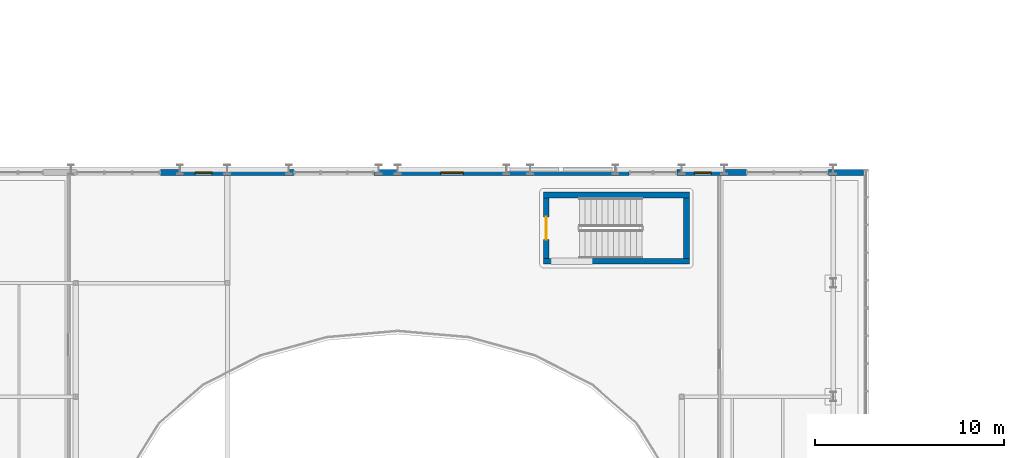
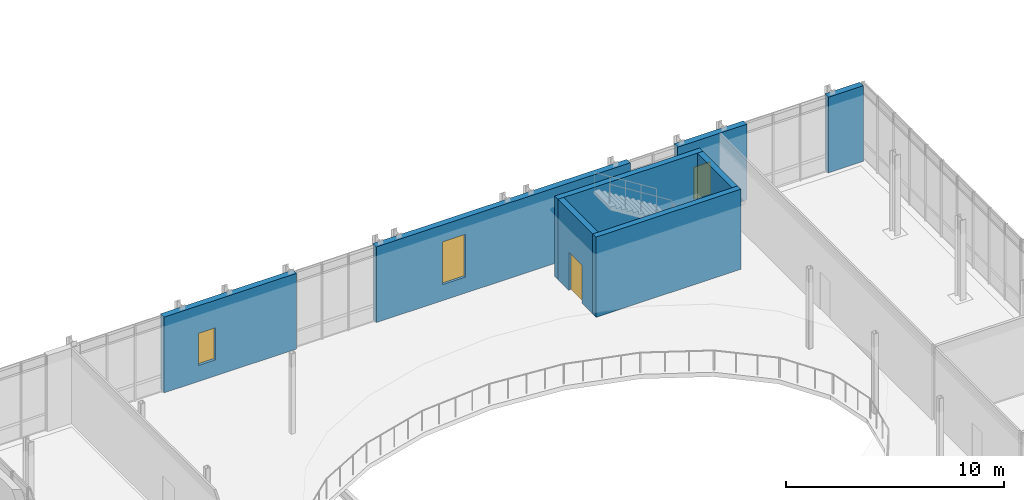
# One storey, part 72 of 100: 8 walls, 3 windows, 1 door, 4 openings.
"""IFC4 building model written with IfcOpenShell, lengths in metres."""

from ifc_helpers import new_model, si_unit, direction, frame, frame_2d, origin, place, context, subcontext, project, spatial, rectangle, extrude, material, layer, layer_set, type_object, element, fill, save


model = new_model("IFC4")

# Units and contexts
model_context = context("Model", 3, precision=1e-05, world=origin(), true_north=direction((0.0, 1.0)))
body_context = subcontext(model_context, "Body", "Model", "MODEL_VIEW")
ifc_project = project(units=[si_unit("LENGTHUNIT", "METRE"), si_unit("AREAUNIT", "SQUARE_METRE"), si_unit("VOLUMEUNIT", "CUBIC_METRE"), si_unit("PLANEANGLEUNIT", "RADIAN"), si_unit("MASSUNIT", "GRAM", prefix="KILO")], contexts=[model_context])

# Site, building, storey
site_placement = place(None, origin())
site = spatial("IfcSite", under=ifc_project, at=site_placement, CompositionType="ELEMENT")
building_placement = place(site_placement, origin())
building = spatial("IfcBuilding", under=site, at=building_placement, Name="Cymarion Research Institute", CompositionType="ELEMENT")
storey_placement = place(building_placement, frame((0.0, 0.0, 9.300048828125)))
storey = spatial("IfcBuildingStorey", under=building, at=storey_placement, Name="L02", CompositionType="ELEMENT", Elevation=9.300048828125)

# Wall
ifc_material_1 = material(Name="Concrete C40/50", Category="concrete")
ifc_layer_1 = layer(ifc_material_1, 0.320068359375)
ifc_layer_set_1 = layer_set([ifc_layer_1], Name="Concrete C40/50")
wall_type_1 = type_object("IfcWallType", Name="EXTERIOR WALL EW-RC320 320MM", PredefinedType="SHEAR", material=ifc_layer_set_1)
wall_1_placement = place(storey_placement, frame((104.197998046875, 41.340087890625, 0.0), z_axis=(0.0, 0.0, 1.0), x_axis=(-1.0, 0.0, 0.0)))
element("IfcWall", 1, at=wall_1_placement, inside=storey, type_object=wall_type_1, Name="L02 V2 facade pier wall EW-RC320 #139", PredefinedType="SHEAR", context=body_context, shape_type="SweptSolid", body=[
    extrude(rectangle(XDim=1.85791015625, YDim=0.320068359375, at=frame_2d((0.928955078125, 0.0))), origin(), (0.0, 0.0, 1.0), 4.25),
])

# Wall, opening, window
wall_2_placement = place(storey_placement, frame((98.0107421875, 41.340087890625, 0.0), z_axis=(0.0, 0.0, 1.0), x_axis=(-1.0, 0.0, 0.0)))
wall_2 = element("IfcWall", 2, at=wall_2_placement, inside=storey, type_object=wall_type_1, Name="L02 V2 facade pier wall EW-RC320 #140", PredefinedType="SHEAR", context=body_context, shape_type="SweptSolid", body=[
    extrude(rectangle(XDim=3.670654296875, YDim=0.320068359375, at=frame_2d((1.83544921875, 0.0))), origin(), (0.0, 0.0, 1.0), 4.25),
])
opening_1_placement = place(wall_2_placement, frame((1.841064453125, 0.0, 0.89990234375)))
opening_1 = element("IfcOpeningElement", 3, at=opening_1_placement, cuts=wall_2, Name="Opening W24", PredefinedType="OPENING", context=body_context, shape_type="SweptSolid", body=[
    extrude(rectangle(XDim=0.89990234375, YDim=1.800048828125, at=frame_2d((0.449951171875, 0.89990234375))), frame((0.0, 0.169921875, 0.0), z_axis=(0.0, -1.0, 0.0), x_axis=(1.0, 0.0, 0.0)), (0.0, 0.0, 1.0), 0.340087890625),
])
ifc_material_2 = material(Name="Thermally broken aluminium window with Low-E glazing", Category="aluminium")
window_type_1 = type_object("IfcWindowType", Name="THERMALLY BROKEN ALUMINIUM WINDOW W24 900X1800", PartitioningType="SINGLE_PANEL", PredefinedType="WINDOW", material=ifc_material_2)
window_1_placement = place(opening_1_placement, origin())
window_1 = element("IfcWindow", 4, at=window_1_placement, inside=storey, type_object=window_type_1, Name="L02 V2 facade window W24 #251", OverallHeight=1.800048828125, OverallWidth=0.89990234375, PartitioningType="SINGLE_PANEL", PredefinedType="WINDOW", context=body_context, shape_type="SweptSolid", body=[
    extrude(rectangle(XDim=0.89990234375, YDim=1.800048828125, at=frame_2d((0.449951171875, 0.89990234375))), frame((0.0, 0.030029296875, 0.0), z_axis=(0.0, -1.0, 0.0), x_axis=(1.0, 0.0, 0.0)), (0.0, 0.0, 1.0), 0.06005859375),
])
fill(opening_1, window_1)

wall_3_placement = place(storey_placement, frame((91.823486328125, 41.340087890625, 0.0), z_axis=(0.0, 0.0, 1.0), x_axis=(-1.0, 0.0, 0.0)))
wall_3 = element("IfcWall", 5, at=wall_3_placement, inside=storey, type_object=wall_type_1, Name="L02 V2 facade pier wall EW-RC320 #141", PredefinedType="SHEAR", context=body_context, shape_type="SweptSolid", body=[
    extrude(rectangle(XDim=13.4833984375, YDim=0.320068359375, at=frame_2d((6.74169921875, 0.0))), origin(), (0.0, 0.0, 1.0), 4.25),
])
opening_2_placement = place(wall_3_placement, frame((8.759033203125, 0.0, 0.89990234375)))
opening_2 = element("IfcOpeningElement", 6, at=opening_2_placement, cuts=wall_3, Name="Opening W19", PredefinedType="OPENING", context=body_context, shape_type="SweptSolid", body=[
    extrude(rectangle(XDim=1.199951171875, YDim=2.39990234375, at=frame_2d((0.60009765625, 1.199951171875))), frame((0.0, 0.169921875, 0.0), z_axis=(0.0, -1.0, 0.0), x_axis=(1.0, 0.0, 0.0)), (0.0, 0.0, 1.0), 0.340087890625),
])
window_type_2 = type_object("IfcWindowType", Name="THERMALLY BROKEN ALUMINIUM WINDOW W19 1200X2400", PartitioningType="SINGLE_PANEL", PredefinedType="WINDOW", material=ifc_material_2)
window_2_placement = place(opening_2_placement, origin())
window_2 = element("IfcWindow", 7, at=window_2_placement, inside=storey, type_object=window_type_2, Name="L02 V2 facade window W19 #252", OverallHeight=2.39990234375, OverallWidth=1.199951171875, PartitioningType="SINGLE_PANEL", PredefinedType="WINDOW", context=body_context, shape_type="SweptSolid", body=[
    extrude(rectangle(XDim=1.199951171875, YDim=2.39990234375, at=frame_2d((0.60009765625, 1.199951171875))), frame((0.0, 0.030029296875, 0.0), z_axis=(0.0, -1.0, 0.0), x_axis=(1.0, 0.0, 0.0)), (0.0, 0.0, 1.0), 0.06005859375),
])
fill(opening_2, window_2)

wall_4_placement = place(storey_placement, frame((74.110107421875, 41.340087890625, 0.0), z_axis=(0.0, 0.0, 1.0), x_axis=(-1.0, 0.0, 0.0)))
wall_4 = element("IfcWall", 8, at=wall_4_placement, inside=storey, type_object=wall_type_1, Name="L02 V2 facade pier wall EW-RC320 #142", PredefinedType="SHEAR", context=body_context, shape_type="SweptSolid", body=[
    extrude(rectangle(XDim=7.03564453125, YDim=0.320068359375, at=frame_2d((3.517822265625, 0.0))), origin(), (0.0, 0.0, 1.0), 4.25),
])
opening_3_placement = place(wall_4_placement, frame((4.31005859375, 0.0, 0.89990234375)))
opening_3 = element("IfcOpeningElement", 9, at=opening_3_placement, cuts=wall_4, Name="Opening W24", PredefinedType="OPENING", context=body_context, shape_type="SweptSolid", body=[
    extrude(rectangle(XDim=0.89990234375, YDim=1.800048828125, at=frame_2d((0.449951171875, 0.89990234375))), frame((0.0, 0.169921875, 0.0), z_axis=(0.0, -1.0, 0.0), x_axis=(1.0, 0.0, 0.0)), (0.0, 0.0, 1.0), 0.340087890625),
])
window_3_placement = place(opening_3_placement, origin())
window_3 = element("IfcWindow", 10, at=window_3_placement, inside=storey, type_object=window_type_1, Name="L02 V2 facade window W24 #253", OverallHeight=1.800048828125, OverallWidth=0.89990234375, PartitioningType="SINGLE_PANEL", PredefinedType="WINDOW", context=body_context, shape_type="SweptSolid", body=[
    extrude(rectangle(XDim=0.89990234375, YDim=1.800048828125, at=frame_2d((0.449951171875, 0.89990234375))), frame((0.0, 0.030029296875, 0.0), z_axis=(0.0, -1.0, 0.0), x_axis=(1.0, 0.0, 0.0)), (0.0, 0.0, 1.0), 0.06005859375),
])
fill(opening_3, window_3)

# Walls
ifc_layer_2 = layer(ifc_material_1, 0.300048828125)
ifc_layer_set_2 = layer_set([ifc_layer_2], Name="Concrete C40/50")
wall_type_2 = type_object("IfcWallType", Name="REINFORCED CONCRETE CORE WALL CW-SH300 300MM", PredefinedType="SHEAR", material=ifc_layer_set_2)
for number, where, z_axis, x_axis, name in (
    (11, (87.300048828125, 36.64990234375, 0.0), (0.0, 0.0, 1.0), (1.0, 0.0, 0.0), "L02 SHW-C4-L02 south core wall"),
    (12, (95.0, 40.14990234375, 0.0), (0.0, 0.0, 1.0), (-1.0, 0.0, 0.0), "L02 SHW-C4-L02 north core wall"),
):
    element("IfcWall", number, at=place(storey_placement, frame(where, z_axis=z_axis, x_axis=x_axis)), inside=storey, type_object=wall_type_2, Name=name, PredefinedType="SHEAR", context=body_context, shape_type="SweptSolid", body=[
        extrude(rectangle(XDim=7.699951171875, YDim=0.300048828125, at=frame_2d((3.85009765625, 0.0))), origin(), (0.0, 0.0, 1.0), 4.5),
    ])

# Wall, opening, door
wall_5_placement = place(storey_placement, frame((87.449951171875, 40.0, 0.0), z_axis=(0.0, 0.0, 1.0), x_axis=(0.0, -1.0, 0.0)))
wall_5 = element("IfcWall", 13, at=wall_5_placement, inside=storey, type_object=wall_type_2, Name="L02 SHW-C4-L02 west core wall", PredefinedType="SHEAR", context=body_context, shape_type="SweptSolid", body=[
    extrude(rectangle(XDim=3.199951171875, YDim=0.300048828125, at=frame_2d((1.60009765625, 0.0))), origin(), (0.0, 0.0, 1.0), 4.5),
])
opening_4_placement = place(wall_5_placement, frame((1.0, 0.0, 0.0)))
opening_4 = element("IfcOpeningElement", 14, at=opening_4_placement, cuts=wall_5, Name="Opening FD-L02-ST4", PredefinedType="OPENING", context=body_context, shape_type="SweptSolid", body=[
    extrude(rectangle(XDim=1.199951171875, YDim=2.14990234375, at=frame_2d((0.60009765625, 1.074951171875))), frame((0.0, 0.159912109375, 0.0), z_axis=(0.0, -1.0, 0.0), x_axis=(1.0, 0.0, 0.0)), (0.0, 0.0, 1.0), 0.320068359375),
])
ifc_material_3 = material(Name="Fire-rated insulated steel door assembly", Category="steel")
door_type = type_object("IfcDoorType", Name="SMOKE PROOF STAIR FIRE DOOR DT-ST120 1200X2150", OperationType="NOTDEFINED", PredefinedType="DOOR", material=ifc_material_3)
door_placement = place(opening_4_placement, origin())
door = element("IfcDoor", 15, at=door_placement, inside=storey, type_object=door_type, Name="L02 ST4 smoke-proof stair door FD-L02-ST4", OperationType="SINGLE_SWING_LEFT", OverallHeight=2.14990234375, OverallWidth=1.199951171875, PredefinedType="DOOR", context=body_context, shape_type="SweptSolid", body=[
    extrude(rectangle(XDim=1.199951171875, YDim=2.14990234375, at=frame_2d((0.60009765625, 1.074951171875))), frame((0.0, 0.02490234375, 0.0), z_axis=(0.0, -1.0, 0.0), x_axis=(1.0, 0.0, 0.0)), (0.0, 0.0, 1.0), 0.050048828125),
])
fill(opening_4, door)

# Wall
wall_6_placement = place(storey_placement, frame((94.85009765625, 36.800048828125, 0.0), z_axis=(0.0, 0.0, 1.0), x_axis=(0.0, 1.0, 0.0)))
element("IfcWall", 16, at=wall_6_placement, inside=storey, type_object=wall_type_2, Name="L02 SHW-C4-L02 east core wall", PredefinedType="SHEAR", context=body_context, shape_type="SweptSolid", body=[
    extrude(rectangle(XDim=3.199951171875, YDim=0.300048828125, at=frame_2d((1.60009765625, 0.0))), origin(), (0.0, 0.0, 1.0), 4.5),
])

save(model, "model.ifc")
